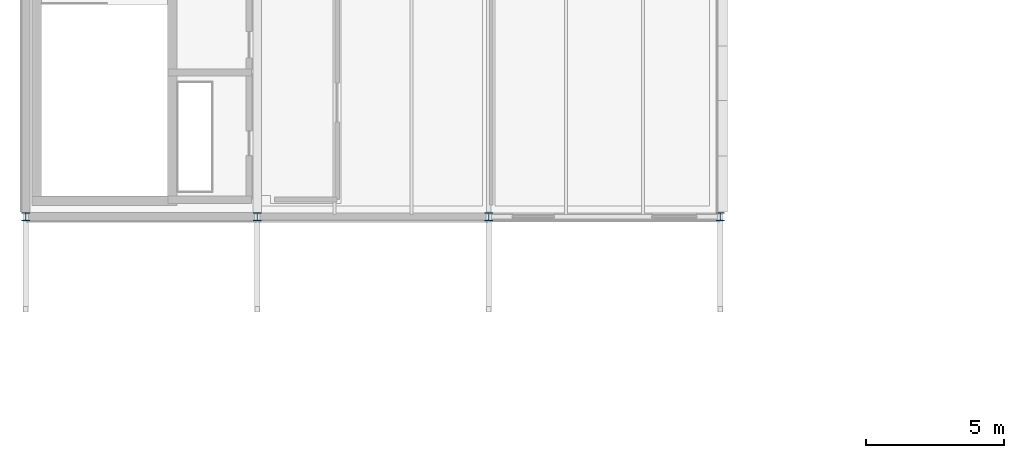
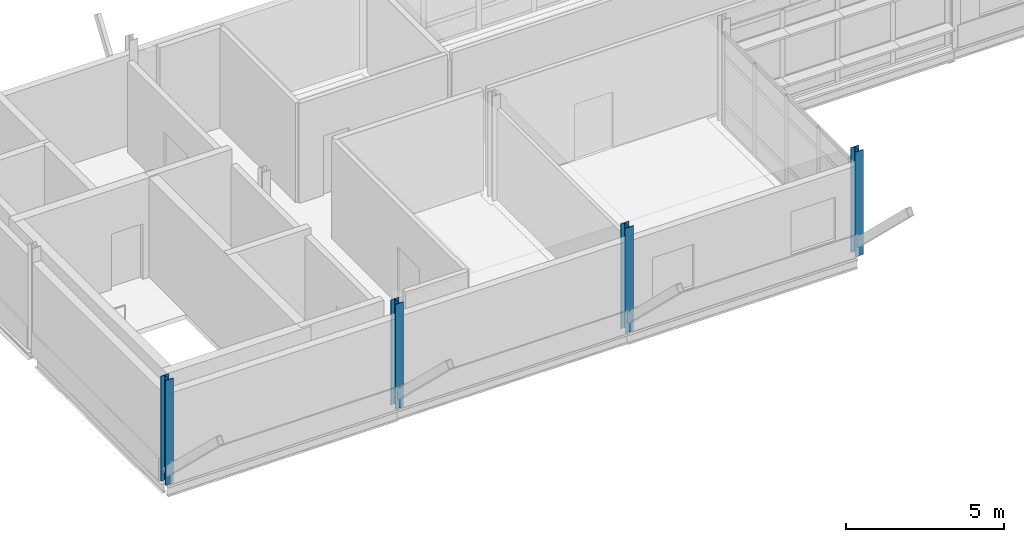
# One storey, part 1 of 57: 4 columns.
"""IFC4 building model written with IfcOpenShell, lengths in metres."""

from ifc_helpers import new_model, si_unit, direction, frame, origin, origin_2d, place, context, subcontext, project, spatial, i_section, extrude, material, material_profile, profile_set, type_object, element, save


model = new_model("IFC4")

# Units and contexts
model_context = context("Model", 3, precision=1e-05, world=origin(), true_north=direction((0.0, 1.0)))
body_context = subcontext(model_context, "Body", "Model", "MODEL_VIEW")
ifc_project = project(units=[si_unit("LENGTHUNIT", "METRE"), si_unit("AREAUNIT", "SQUARE_METRE"), si_unit("VOLUMEUNIT", "CUBIC_METRE"), si_unit("PLANEANGLEUNIT", "RADIAN"), si_unit("MASSUNIT", "GRAM", prefix="KILO")], contexts=[model_context])

# Site, building, storey
site_placement = place(None, origin())
site = spatial("IfcSite", under=ifc_project, at=site_placement, CompositionType="ELEMENT")
building_placement = place(site_placement, origin())
building = spatial("IfcBuilding", under=site, at=building_placement, Name="Mersafa Astral City Hall", CompositionType="ELEMENT")
storey_placement = place(building_placement, frame((0.0, 0.0, 26.10009765625)))
storey = spatial("IfcBuildingStorey", under=building, at=storey_placement, Name="L06", CompositionType="ELEMENT", Elevation=26.10009765625)

# Columns
ifc_material = material(Name="Steel S355", Category="steel")
ifc_material_profile = material_profile(ifc_material, i_section(OverallWidth=0.300048828125, OverallDepth=0.300048828125, WebThickness=0.010986328125, FlangeThickness=0.01904296875, FilletRadius=0.027099609375, at=origin_2d()), Name="HEB 300")
ifc_profile_set = profile_set([ifc_material_profile], Name="Steel S355")
column_type = type_object("IfcColumnType", Name="STR-COL-HEB300", PredefinedType="COLUMN", material=ifc_profile_set)
for number, where, z_axis, x_axis, name in (
    (1, (42.0, 109.199951171875, 0.0), (0.0, 0.0, 1.0), (1.0, 0.0, 0.0), "L06 Structural column G-05-13"),
    (2, (50.39990234375, 109.199951171875, 0.0), (0.0, 0.0, 1.0), (1.0, 0.0, 0.0), "L06 Structural column G-06-13"),
    (3, (58.800048828125, 109.199951171875, 0.0), (0.0, 0.0, 1.0), (1.0, 0.0, 0.0), "L06 Structural column G-07-13"),
    (4, (67.199951171875, 109.199951171875, 0.0), (0.0, 0.0, 1.0), (1.0, 0.0, 0.0), "L06 Structural column G-08-13"),
):
    element("IfcColumn", number, at=place(storey_placement, frame(where, z_axis=z_axis, x_axis=x_axis)), inside=storey, type_object=column_type, Name=name, PredefinedType="COLUMN", context=body_context, shape_type="SweptSolid", body=[
        extrude(i_section(OverallWidth=0.300048828125, OverallDepth=0.300048828125, WebThickness=0.010986328125, FlangeThickness=0.01904296875, FilletRadius=0.027099609375, at=origin_2d()), origin(), (0.0, 0.0, 1.0), 4.0498046875),
    ])

save(model, "model.ifc")
